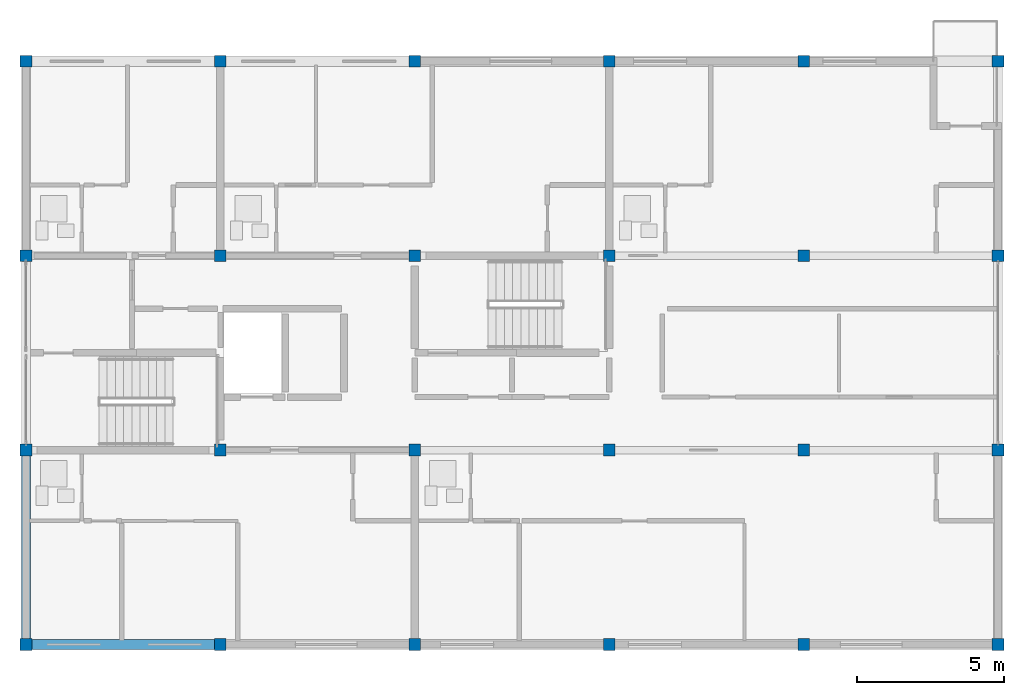
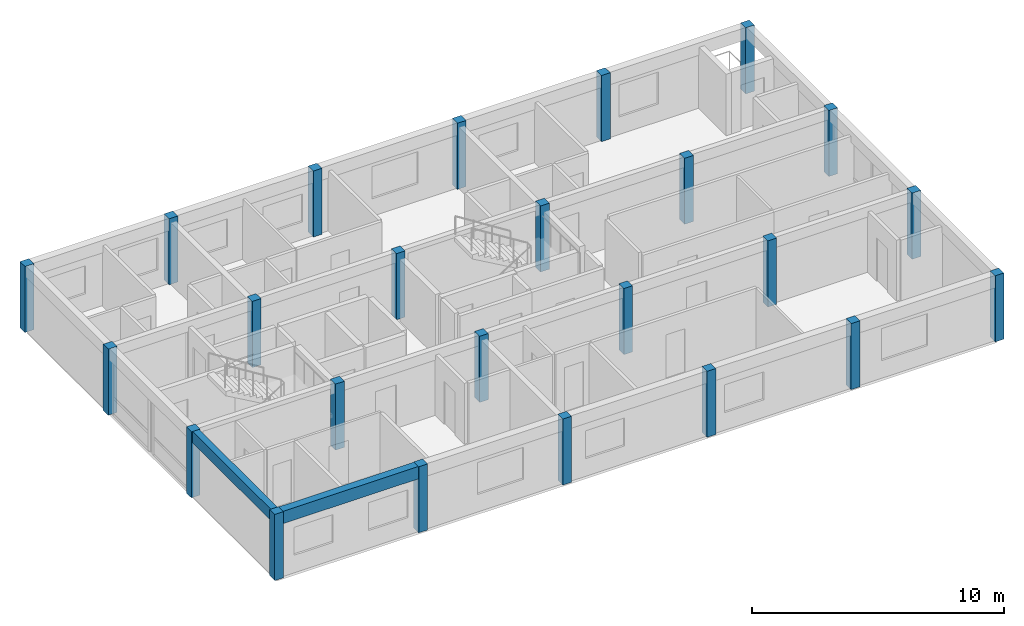
# One storey, part 1 of 12: 24 columns, 2 beams.
"""IFC4 building model written with IfcOpenShell, lengths in metres."""

import ifcopenshell
import ifcopenshell.guid

model = None  # the IFC model being written
_history = None  # IfcOwnerHistory: only IFC2X3 demands one
_inside = {}  # id of a spatial element -> (the spatial element, [elements in it])
_under = {}  # id of a project, library or spatial element -> (it, [spatial elements below it])
_declared = {}  # id of a project -> (the project, [libraries it declares])
_typed = {}  # id of a type object -> (the type object, [elements of that type])
_made_of = {}  # id of a material, layer set ... -> (it, [elements and type objects made of it])


def new_model(schema):
    """Start an empty IFC model of exactly this schema.

    Asked for "IFC4X3", IfcOpenShell would pick the latest addendum, in which some entities
    have other attributes; the version numbers below select the first issue.
    IFC2X3 requires an IfcOwnerHistory on every rooted entity: one is made here for all.
    """
    global model, _history
    if schema == "IFC4X3":
        model = ifcopenshell.file(schema_version=(4, 3, 0, 0))
    else:
        model = ifcopenshell.file(schema=schema)
    _inside.clear()
    _under.clear()
    _declared.clear()
    _typed.clear()
    _made_of.clear()
    _history = None
    if model.schema == "IFC2X3":
        org = make("IfcOrganization", Name="unknown")
        user = make(
            "IfcPersonAndOrganization",
            ThePerson=make("IfcPerson", FamilyName="unknown"),
            TheOrganization=org,
        )
        app = make(
            "IfcApplication",
            ApplicationDeveloper=org,
            Version="unknown",
            ApplicationFullName="unknown",
            ApplicationIdentifier="unknown",
        )
        _history = make(
            "IfcOwnerHistory",
            OwningUser=user,
            OwningApplication=app,
            ChangeAction="ADDED",
            CreationDate=0,
        )
    return model


def make(cls, **values):
    """One entity of the class cls with the attributes given. An attribute that is None is left unset."""
    return model.create_entity(
        cls, **{name: value for name, value in values.items() if value is not None}
    )


def rooted(cls, **values):
    """An entity with a GlobalId (a new one), such as an element, a storey or a relation."""
    return make(cls, GlobalId=ifcopenshell.guid.new(), OwnerHistory=_history, **values)


def si_unit(unit_type, name, prefix=None):
    """IfcSIUnit, for example si_unit("LENGTHUNIT", "METRE", prefix="MILLI")."""
    return make("IfcSIUnit", UnitType=unit_type, Prefix=prefix, Name=name)


def assignment(units):
    """IfcUnitAssignment: the units of a project."""
    return None if units is None else make("IfcUnitAssignment", Units=units)


def point(xyz):
    """IfcCartesianPoint."""
    return None if xyz is None else make("IfcCartesianPoint", Coordinates=xyz)


def direction(xyz):
    """IfcDirection."""
    return None if xyz is None else make("IfcDirection", DirectionRatios=xyz)


def frame(location, z_axis=None, x_axis=None):
    """IfcAxis2Placement3D, a coordinate frame: its origin and axes. An axis left out is left unset."""
    return make(
        "IfcAxis2Placement3D",
        Location=point(location),
        Axis=direction(z_axis),
        RefDirection=direction(x_axis),
    )


def frame_2d(location, x_axis=None):
    """IfcAxis2Placement2D, a coordinate frame in the plane: its origin and x axis."""
    return make(
        "IfcAxis2Placement2D", Location=point(location), RefDirection=direction(x_axis)
    )


def origin():
    """The frame at (0, 0, 0) with its axes left unset."""
    return frame((0.0, 0.0, 0.0))


def origin_2d():
    """The frame at (0, 0) in the plane with its x axis left unset."""
    return frame_2d((0.0, 0.0))


def place(relative_to, where):
    """IfcLocalPlacement: puts the frame where relative to a parent placement (None: the world)."""
    return make(
        "IfcLocalPlacement", PlacementRelTo=relative_to, RelativePlacement=where
    )


def context(
    kind, dimensions, precision=None, world=None, true_north=None, identifier=None
):
    """IfcGeometricRepresentationContext, for example the 3D "Model" context."""
    return make(
        "IfcGeometricRepresentationContext",
        ContextIdentifier=identifier,
        ContextType=kind,
        CoordinateSpaceDimension=dimensions,
        Precision=precision,
        WorldCoordinateSystem=world,
        TrueNorth=true_north,
    )


def subcontext(parent, identifier, kind, view, scale=None):
    """IfcGeometricRepresentationSubContext, for example "Body" below "Model"."""
    return make(
        "IfcGeometricRepresentationSubContext",
        ContextIdentifier=identifier,
        ContextType=kind,
        ParentContext=parent,
        TargetScale=scale,
        TargetView=view,
    )


def project(units=None, contexts=None):
    """IfcProject with its units and contexts."""
    return rooted(
        "IfcProject",
        Name="project",
        RepresentationContexts=contexts,
        UnitsInContext=assignment(units),
    )


def spatial(cls, under=None, at=None, **own):
    """A site, building, storey or space (cls), placed at a placement, below another one or the project."""
    s = rooted(cls, ObjectPlacement=at, **own)
    if under is not None:
        _under.setdefault(under.id(), (under, []))[1].append(s)
    return s


def profile(cls, at=None, kind="AREA", **sizes):
    """A parametric profile (cls). Its sizes go by their IFC names, for example OverallWidth=200.0."""
    return make(cls, ProfileType=kind, Position=at, **sizes)


def rectangle(**sizes):
    """IfcRectangleProfileDef."""
    return profile("IfcRectangleProfileDef", **sizes)


def extrude(swept, where, along, depth):
    """IfcExtrudedAreaSolid: the profile swept, set in the frame where, extruded along a direction by depth."""
    return make(
        "IfcExtrudedAreaSolid",
        SweptArea=swept,
        Position=where,
        ExtrudedDirection=direction(along),
        Depth=depth,
    )


def shape(context_of_items, identifier, shape_type, items):
    """IfcShapeRepresentation: the items that make up one representation, for example the "Body"."""
    return make(
        "IfcShapeRepresentation",
        ContextOfItems=context_of_items,
        RepresentationIdentifier=identifier,
        RepresentationType=shape_type,
        Items=items,
    )


def material(Name=None, Category=None):
    """IfcMaterial."""
    return make("IfcMaterial", Name=Name, Category=Category)


def material_profile(
    of_material, cross_section, Name=None, Category=None, Priority=None
):
    """IfcMaterialProfile: a cross section and its material."""
    return make(
        "IfcMaterialProfile",
        Name=Name,
        Material=of_material,
        Profile=cross_section,
        Priority=Priority,
        Category=Category,
    )


def profile_set(profiles, Name=None, composite=None):
    """IfcMaterialProfileSet."""
    return make(
        "IfcMaterialProfileSet",
        Name=Name,
        MaterialProfiles=profiles,
        CompositeProfile=composite,
    )


def made_of(thing, what):
    """Note that an element or type object is made of a material, layer set ...; save() writes the relation."""
    if what is not None:
        _made_of.setdefault(what.id(), (what, []))[1].append(thing)
    return thing


def type_object(cls, material=None, **own):
    """A type object (cls), such as IfcWallType, which elements share."""
    return made_of(rooted(cls, **own), material)


def element(
    cls,
    number,
    at=None,
    inside=None,
    cuts=None,
    type_object=None,
    material=None,
    context=None,
    identifier="Body",
    shape_type=None,
    held_by="IfcProductDefinitionShape",
    body=None,
    shapes=None,
    **own,
):
    """One element of the class cls, such as IfcWall. Its Tag is "e" and its number.

    at: its placement. inside: the storey or other place that contains it. cuts: it is an
    opening in that element (IfcRelVoidsElement). A single representation is given by context,
    identifier, shape_type and body (its items); several are given by shapes. held_by: the class
    of the entity that holds the representations. save() writes the other relations.
    """
    e = rooted(cls, Tag="e%d" % number, ObjectPlacement=at, **own)
    if body is not None:
        shapes = [shape(context, identifier, shape_type, body)]
    if shapes is not None:
        e.Representation = make(held_by, Representations=shapes)
    if inside is not None:
        _inside.setdefault(inside.id(), (inside, []))[1].append(e)
    if cuts is not None:
        rooted(
            "IfcRelVoidsElement", RelatingBuildingElement=cuts, RelatedOpeningElement=e
        )
    if type_object is not None:
        _typed.setdefault(type_object.id(), (type_object, []))[1].append(e)
    return made_of(e, material)


def aggregate(whole, parts):
    """IfcRelAggregates: a whole, such as a stair, and the parts it consists of."""
    return rooted("IfcRelAggregates", RelatingObject=whole, RelatedObjects=parts)


def save(model, path):
    """Write the relations noted so far, then the file.

    IfcRelAggregates (storeys below a building ...), IfcRelContainedInSpatialStructure (elements
    in a storey), IfcRelDefinesByType, IfcRelAssociatesMaterial and IfcRelDeclares: one each for
    every whole, place, type object, material and project.
    """
    for whole, parts in _under.values():
        aggregate(whole, parts)
    for where, things in _inside.values():
        rooted(
            "IfcRelContainedInSpatialStructure",
            RelatedElements=things,
            RelatingStructure=where,
        )
    for kind, things in _typed.values():
        rooted("IfcRelDefinesByType", RelatedObjects=things, RelatingType=kind)
    for what, things in _made_of.values():
        rooted("IfcRelAssociatesMaterial", RelatedObjects=things, RelatingMaterial=what)
    for by, libraries in _declared.values():
        rooted("IfcRelDeclares", RelatingContext=by, RelatedDefinitions=libraries)
    model.write(path)


model = new_model("IFC4")

# Units and contexts
model_context = context("Model", 3, precision=1e-05, world=origin(), true_north=direction((0.0, 1.0)))
body_context = subcontext(model_context, "Body", "Model", "MODEL_VIEW")
ifc_project = project(units=[si_unit("LENGTHUNIT", "METRE"), si_unit("AREAUNIT", "SQUARE_METRE"), si_unit("VOLUMEUNIT", "CUBIC_METRE"), si_unit("PLANEANGLEUNIT", "RADIAN"), si_unit("MASSUNIT", "GRAM", prefix="KILO")], contexts=[model_context])

# Site, building, storey
site_placement = place(None, origin())
site = spatial("IfcSite", under=ifc_project, at=site_placement, CompositionType="ELEMENT")
building_placement = place(site_placement, origin())
building = spatial("IfcBuilding", under=site, at=building_placement, Name="Kernevlak Ridge Housing Community", CompositionType="ELEMENT")
storey_placement = place(building_placement, frame((0.0, 0.0, 53.199951171875)))
storey = spatial("IfcBuildingStorey", under=building, at=storey_placement, Name="L16", CompositionType="ELEMENT", Elevation=53.199951171875)

# Columns
ifc_material = material(Name="Concrete C35/45", Category="concrete")
ifc_material_profile_1 = material_profile(ifc_material, rectangle(XDim=0.39990234375, YDim=0.39990234375, at=origin_2d()), Name="RC 400x400")
ifc_profile_set_1 = profile_set([ifc_material_profile_1], Name="Concrete C35/45")
column_type = type_object("IfcColumnType", Name="C-05", PredefinedType="COLUMN", material=ifc_profile_set_1)
for number, where, z_axis, x_axis, name in (
    (1, (15.60009765625, 76.0, 0.0), (0.0, 0.0, 1.0), (1.0, 0.0, 0.0), "Column C-05 COL-A-L16-00-0"),
    (2, (15.60009765625, 82.60009765625, 0.0), (0.0, 0.0, 1.0), (1.0, 0.0, 0.0), "Column C-05 COL-A-L16-00-1"),
    (3, (15.60009765625, 89.199951171875, 0.0), (0.0, 0.0, 1.0), (1.0, 0.0, 0.0), "Column C-05 COL-A-L16-00-2"),
    (4, (15.60009765625, 95.800048828125, 0.0), (0.0, 0.0, 1.0), (1.0, 0.0, 0.0), "Column C-05 COL-A-L16-00-3"),
    (5, (22.199951171875, 76.0, 0.0), (0.0, 0.0, 1.0), (1.0, 0.0, 0.0), "Column C-05 COL-A-L16-01-0"),
    (6, (22.199951171875, 82.60009765625, 0.0), (0.0, 0.0, 1.0), (1.0, 0.0, 0.0), "Column C-05 COL-A-L16-01-1"),
    (7, (22.199951171875, 89.199951171875, 0.0), (0.0, 0.0, 1.0), (1.0, 0.0, 0.0), "Column C-05 COL-A-L16-01-2"),
    (8, (22.199951171875, 95.800048828125, 0.0), (0.0, 0.0, 1.0), (1.0, 0.0, 0.0), "Column C-05 COL-A-L16-01-3"),
    (9, (28.800048828125, 76.0, 0.0), (0.0, 0.0, 1.0), (1.0, 0.0, 0.0), "Column C-05 COL-A-L16-02-0"),
    (10, (28.800048828125, 82.60009765625, 0.0), (0.0, 0.0, 1.0), (1.0, 0.0, 0.0), "Column C-05 COL-A-L16-02-1"),
    (11, (28.800048828125, 89.199951171875, 0.0), (0.0, 0.0, 1.0), (1.0, 0.0, 0.0), "Column C-05 COL-A-L16-02-2"),
    (12, (28.800048828125, 95.800048828125, 0.0), (0.0, 0.0, 1.0), (1.0, 0.0, 0.0), "Column C-05 COL-A-L16-02-3"),
    (13, (35.39990234375, 76.0, 0.0), (0.0, 0.0, 1.0), (1.0, 0.0, 0.0), "Column C-05 COL-A-L16-03-0"),
    (14, (35.39990234375, 82.60009765625, 0.0), (0.0, 0.0, 1.0), (1.0, 0.0, 0.0), "Column C-05 COL-A-L16-03-1"),
    (15, (35.39990234375, 89.199951171875, 0.0), (0.0, 0.0, 1.0), (1.0, 0.0, 0.0), "Column C-05 COL-A-L16-03-2"),
    (16, (35.39990234375, 95.800048828125, 0.0), (0.0, 0.0, 1.0), (1.0, 0.0, 0.0), "Column C-05 COL-A-L16-03-3"),
    (17, (42.0, 76.0, 0.0), (0.0, 0.0, 1.0), (1.0, 0.0, 0.0), "Column C-05 COL-A-L16-04-0"),
    (18, (42.0, 82.60009765625, 0.0), (0.0, 0.0, 1.0), (1.0, 0.0, 0.0), "Column C-05 COL-A-L16-04-1"),
    (19, (42.0, 89.199951171875, 0.0), (0.0, 0.0, 1.0), (1.0, 0.0, 0.0), "Column C-05 COL-A-L16-04-2"),
    (20, (42.0, 95.800048828125, 0.0), (0.0, 0.0, 1.0), (1.0, 0.0, 0.0), "Column C-05 COL-A-L16-04-3"),
    (21, (48.60009765625, 76.0, 0.0), (0.0, 0.0, 1.0), (1.0, 0.0, 0.0), "Column C-05 COL-A-L16-05-0"),
    (22, (48.60009765625, 82.60009765625, 0.0), (0.0, 0.0, 1.0), (1.0, 0.0, 0.0), "Column C-05 COL-A-L16-05-1"),
    (23, (48.60009765625, 89.199951171875, 0.0), (0.0, 0.0, 1.0), (1.0, 0.0, 0.0), "Column C-05 COL-A-L16-05-2"),
    (24, (48.60009765625, 95.800048828125, 0.0), (0.0, 0.0, 1.0), (1.0, 0.0, 0.0), "Column C-05 COL-A-L16-05-3"),
):
    element("IfcColumn", number, at=place(storey_placement, frame(where, z_axis=z_axis, x_axis=x_axis)), inside=storey, type_object=column_type, Name=name, PredefinedType="COLUMN", context=body_context, shape_type="SweptSolid", body=[
        extrude(rectangle(XDim=0.39990234375, YDim=0.39990234375, at=origin_2d()), origin(), (0.0, 0.0, 1.0), 3.199951171875),
    ])

# Beams
ifc_material_profile_2 = material_profile(ifc_material, rectangle(XDim=0.300048828125, YDim=0.550048828125, at=origin_2d()), Name="RC 300x550")
ifc_profile_set_2 = profile_set([ifc_material_profile_2], Name="Concrete C35/45")
beam_type_1 = type_object("IfcBeamType", Name="SP-01", PredefinedType="SPANDREL", material=ifc_profile_set_2)
beam_1_placement = place(storey_placement, frame((15.60009765625, 76.199951171875, 2.925048828125), z_axis=(0.0, 1.0, 0.0), x_axis=(-1.0, 0.0, 0.0)))
element("IfcBeam", 25, at=beam_1_placement, inside=storey, type_object=beam_type_1, Name="Beam SP-01 L16 493", PredefinedType="SPANDREL", context=body_context, shape_type="SweptSolid", body=[
    extrude(rectangle(XDim=0.300048828125, YDim=0.550048828125, at=origin_2d()), origin(), (0.0, 0.0, 1.0), 6.199951171875),
])
ifc_material_profile_3 = material_profile(ifc_material, rectangle(XDim=0.35009765625, YDim=0.60009765625, at=origin_2d()), Name="RC 350x600")
ifc_profile_set_3 = profile_set([ifc_material_profile_3], Name="Concrete C35/45")
beam_type_2 = type_object("IfcBeamType", Name="SP-03", PredefinedType="SPANDREL", material=ifc_profile_set_3)
beam_2_placement = place(storey_placement, frame((15.800048828125, 76.0, 2.900146484375), z_axis=(1.0, 0.0, 0.0), x_axis=(0.0, 1.0, 0.0)))
element("IfcBeam", 26, at=beam_2_placement, inside=storey, type_object=beam_type_2, Name="Beam SP-03 L16 473", PredefinedType="SPANDREL", context=body_context, shape_type="SweptSolid", body=[
    extrude(rectangle(XDim=0.35009765625, YDim=0.60009765625, at=origin_2d()), origin(), (0.0, 0.0, 1.0), 6.199951171875),
])

save(model, "model.ifc")
